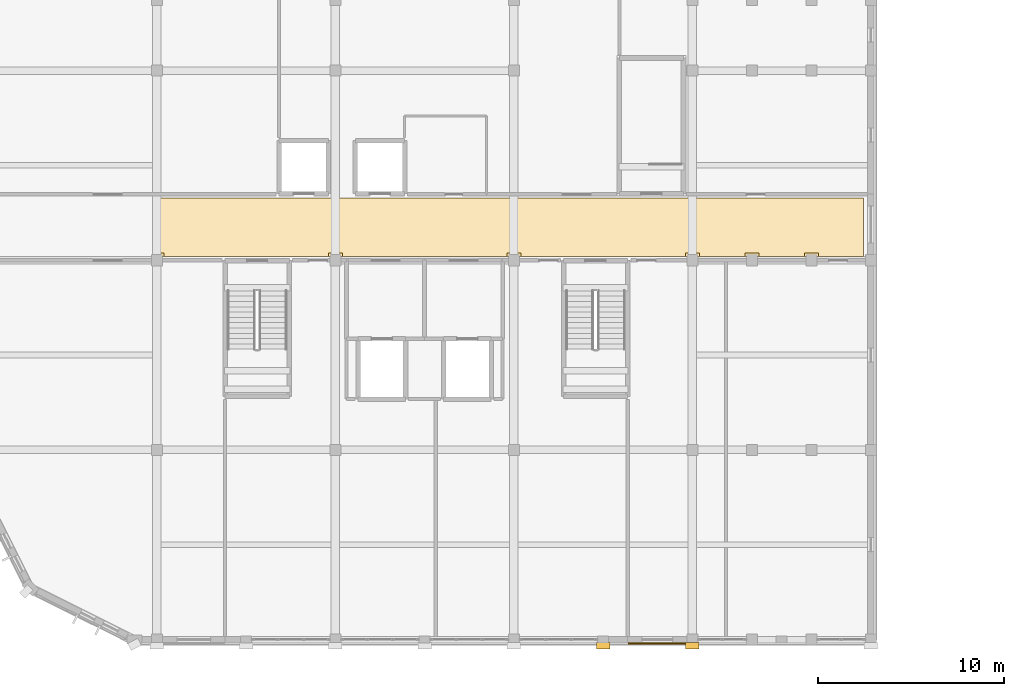
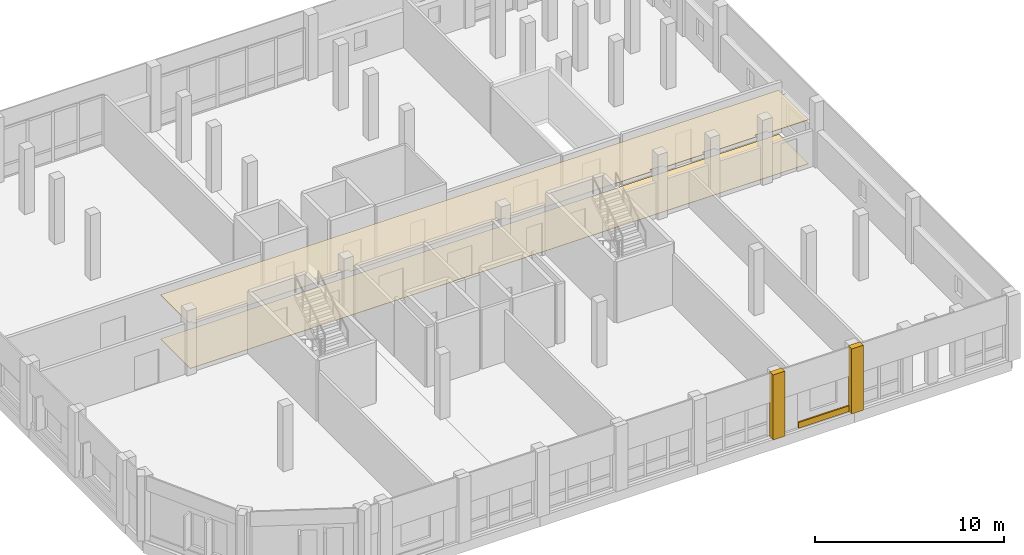
# One storey, part 89 of 93: 5 coverings.
"""IFC4 building model written with IfcOpenShell, lengths in metres."""

import ifcopenshell
import ifcopenshell.guid

model = None  # the IFC model being written
_history = None  # IfcOwnerHistory: only IFC2X3 demands one
_inside = {}  # id of a spatial element -> (the spatial element, [elements in it])
_under = {}  # id of a project, library or spatial element -> (it, [spatial elements below it])
_declared = {}  # id of a project -> (the project, [libraries it declares])
_typed = {}  # id of a type object -> (the type object, [elements of that type])
_made_of = {}  # id of a material, layer set ... -> (it, [elements and type objects made of it])


def new_model(schema):
    """Start an empty IFC model of exactly this schema.

    Asked for "IFC4X3", IfcOpenShell would pick the latest addendum, in which some entities
    have other attributes; the version numbers below select the first issue.
    IFC2X3 requires an IfcOwnerHistory on every rooted entity: one is made here for all.
    """
    global model, _history
    if schema == "IFC4X3":
        model = ifcopenshell.file(schema_version=(4, 3, 0, 0))
    else:
        model = ifcopenshell.file(schema=schema)
    _inside.clear()
    _under.clear()
    _declared.clear()
    _typed.clear()
    _made_of.clear()
    _history = None
    if model.schema == "IFC2X3":
        org = make("IfcOrganization", Name="unknown")
        user = make(
            "IfcPersonAndOrganization",
            ThePerson=make("IfcPerson", FamilyName="unknown"),
            TheOrganization=org,
        )
        app = make(
            "IfcApplication",
            ApplicationDeveloper=org,
            Version="unknown",
            ApplicationFullName="unknown",
            ApplicationIdentifier="unknown",
        )
        _history = make(
            "IfcOwnerHistory",
            OwningUser=user,
            OwningApplication=app,
            ChangeAction="ADDED",
            CreationDate=0,
        )
    return model


def make(cls, **values):
    """One entity of the class cls with the attributes given. An attribute that is None is left unset."""
    return model.create_entity(
        cls, **{name: value for name, value in values.items() if value is not None}
    )


def rooted(cls, **values):
    """An entity with a GlobalId (a new one), such as an element, a storey or a relation."""
    return make(cls, GlobalId=ifcopenshell.guid.new(), OwnerHistory=_history, **values)


def si_unit(unit_type, name, prefix=None):
    """IfcSIUnit, for example si_unit("LENGTHUNIT", "METRE", prefix="MILLI")."""
    return make("IfcSIUnit", UnitType=unit_type, Prefix=prefix, Name=name)


def assignment(units):
    """IfcUnitAssignment: the units of a project."""
    return None if units is None else make("IfcUnitAssignment", Units=units)


def point(xyz):
    """IfcCartesianPoint."""
    return None if xyz is None else make("IfcCartesianPoint", Coordinates=xyz)


def direction(xyz):
    """IfcDirection."""
    return None if xyz is None else make("IfcDirection", DirectionRatios=xyz)


def frame(location, z_axis=None, x_axis=None):
    """IfcAxis2Placement3D, a coordinate frame: its origin and axes. An axis left out is left unset."""
    return make(
        "IfcAxis2Placement3D",
        Location=point(location),
        Axis=direction(z_axis),
        RefDirection=direction(x_axis),
    )


def frame_2d(location, x_axis=None):
    """IfcAxis2Placement2D, a coordinate frame in the plane: its origin and x axis."""
    return make(
        "IfcAxis2Placement2D", Location=point(location), RefDirection=direction(x_axis)
    )


def origin():
    """The frame at (0, 0, 0) with its axes left unset."""
    return frame((0.0, 0.0, 0.0))


def origin_2d():
    """The frame at (0, 0) in the plane with its x axis left unset."""
    return frame_2d((0.0, 0.0))


def place(relative_to, where):
    """IfcLocalPlacement: puts the frame where relative to a parent placement (None: the world)."""
    return make(
        "IfcLocalPlacement", PlacementRelTo=relative_to, RelativePlacement=where
    )


def context(
    kind, dimensions, precision=None, world=None, true_north=None, identifier=None
):
    """IfcGeometricRepresentationContext, for example the 3D "Model" context."""
    return make(
        "IfcGeometricRepresentationContext",
        ContextIdentifier=identifier,
        ContextType=kind,
        CoordinateSpaceDimension=dimensions,
        Precision=precision,
        WorldCoordinateSystem=world,
        TrueNorth=true_north,
    )


def subcontext(parent, identifier, kind, view, scale=None):
    """IfcGeometricRepresentationSubContext, for example "Body" below "Model"."""
    return make(
        "IfcGeometricRepresentationSubContext",
        ContextIdentifier=identifier,
        ContextType=kind,
        ParentContext=parent,
        TargetScale=scale,
        TargetView=view,
    )


def project(units=None, contexts=None):
    """IfcProject with its units and contexts."""
    return rooted(
        "IfcProject",
        Name="project",
        RepresentationContexts=contexts,
        UnitsInContext=assignment(units),
    )


def spatial(cls, under=None, at=None, **own):
    """A site, building, storey or space (cls), placed at a placement, below another one or the project."""
    s = rooted(cls, ObjectPlacement=at, **own)
    if under is not None:
        _under.setdefault(under.id(), (under, []))[1].append(s)
    return s


def polyline(points):
    """IfcPolyline through the points."""
    return make("IfcPolyline", Points=[point(p) for p in points])


def profile(cls, at=None, kind="AREA", **sizes):
    """A parametric profile (cls). Its sizes go by their IFC names, for example OverallWidth=200.0."""
    return make(cls, ProfileType=kind, Position=at, **sizes)


def rectangle(**sizes):
    """IfcRectangleProfileDef."""
    return profile("IfcRectangleProfileDef", **sizes)


def outline(outer, holes=None, kind="AREA"):
    """IfcArbitraryClosedProfileDef: a profile drawn as a closed curve; with holes, ...WithVoids."""
    if holes is None:
        return make("IfcArbitraryClosedProfileDef", ProfileType=kind, OuterCurve=outer)
    return make(
        "IfcArbitraryProfileDefWithVoids",
        ProfileType=kind,
        OuterCurve=outer,
        InnerCurves=holes,
    )


def extrude(swept, where, along, depth):
    """IfcExtrudedAreaSolid: the profile swept, set in the frame where, extruded along a direction by depth."""
    return make(
        "IfcExtrudedAreaSolid",
        SweptArea=swept,
        Position=where,
        ExtrudedDirection=direction(along),
        Depth=depth,
    )


def shape(context_of_items, identifier, shape_type, items):
    """IfcShapeRepresentation: the items that make up one representation, for example the "Body"."""
    return make(
        "IfcShapeRepresentation",
        ContextOfItems=context_of_items,
        RepresentationIdentifier=identifier,
        RepresentationType=shape_type,
        Items=items,
    )


def material(Name=None, Category=None):
    """IfcMaterial."""
    return make("IfcMaterial", Name=Name, Category=Category)


def layer(
    of_material, thickness, ventilated=None, Name=None, Category=None, Priority=None
):
    """IfcMaterialLayer: one layer of a wall or slab, of a material (None: an air gap)."""
    return make(
        "IfcMaterialLayer",
        Material=of_material,
        LayerThickness=thickness,
        IsVentilated=ventilated,
        Name=Name,
        Category=Category,
        Priority=Priority,
    )


def layer_set(layers, Name=None):
    """IfcMaterialLayerSet."""
    return make("IfcMaterialLayerSet", MaterialLayers=layers, LayerSetName=Name)


def made_of(thing, what):
    """Note that an element or type object is made of a material, layer set ...; save() writes the relation."""
    if what is not None:
        _made_of.setdefault(what.id(), (what, []))[1].append(thing)
    return thing


def type_object(cls, material=None, **own):
    """A type object (cls), such as IfcWallType, which elements share."""
    return made_of(rooted(cls, **own), material)


def element(
    cls,
    number,
    at=None,
    inside=None,
    cuts=None,
    type_object=None,
    material=None,
    context=None,
    identifier="Body",
    shape_type=None,
    held_by="IfcProductDefinitionShape",
    body=None,
    shapes=None,
    **own,
):
    """One element of the class cls, such as IfcWall. Its Tag is "e" and its number.

    at: its placement. inside: the storey or other place that contains it. cuts: it is an
    opening in that element (IfcRelVoidsElement). A single representation is given by context,
    identifier, shape_type and body (its items); several are given by shapes. held_by: the class
    of the entity that holds the representations. save() writes the other relations.
    """
    e = rooted(cls, Tag="e%d" % number, ObjectPlacement=at, **own)
    if body is not None:
        shapes = [shape(context, identifier, shape_type, body)]
    if shapes is not None:
        e.Representation = make(held_by, Representations=shapes)
    if inside is not None:
        _inside.setdefault(inside.id(), (inside, []))[1].append(e)
    if cuts is not None:
        rooted(
            "IfcRelVoidsElement", RelatingBuildingElement=cuts, RelatedOpeningElement=e
        )
    if type_object is not None:
        _typed.setdefault(type_object.id(), (type_object, []))[1].append(e)
    return made_of(e, material)


def aggregate(whole, parts):
    """IfcRelAggregates: a whole, such as a stair, and the parts it consists of."""
    return rooted("IfcRelAggregates", RelatingObject=whole, RelatedObjects=parts)


def save(model, path):
    """Write the relations noted so far, then the file.

    IfcRelAggregates (storeys below a building ...), IfcRelContainedInSpatialStructure (elements
    in a storey), IfcRelDefinesByType, IfcRelAssociatesMaterial and IfcRelDeclares: one each for
    every whole, place, type object, material and project.
    """
    for whole, parts in _under.values():
        aggregate(whole, parts)
    for where, things in _inside.values():
        rooted(
            "IfcRelContainedInSpatialStructure",
            RelatedElements=things,
            RelatingStructure=where,
        )
    for kind, things in _typed.values():
        rooted("IfcRelDefinesByType", RelatedObjects=things, RelatingType=kind)
    for what, things in _made_of.values():
        rooted("IfcRelAssociatesMaterial", RelatedObjects=things, RelatingMaterial=what)
    for by, libraries in _declared.values():
        rooted("IfcRelDeclares", RelatingContext=by, RelatedDefinitions=libraries)
    model.write(path)


model = new_model("IFC4")

# Units and contexts
model_context = context("Model", 3, precision=1e-05, world=origin(), true_north=direction((0.0, 1.0)))
body_context = subcontext(model_context, "Body", "Model", "MODEL_VIEW")
ifc_project = project(units=[si_unit("LENGTHUNIT", "METRE"), si_unit("AREAUNIT", "SQUARE_METRE"), si_unit("VOLUMEUNIT", "CUBIC_METRE"), si_unit("PLANEANGLEUNIT", "RADIAN"), si_unit("MASSUNIT", "GRAM", prefix="KILO")], contexts=[model_context])

# Site, building, storey
site_placement = place(None, origin())
site = spatial("IfcSite", under=ifc_project, at=site_placement, CompositionType="ELEMENT")
building_placement = place(site_placement, origin())
building = spatial("IfcBuilding", under=site, at=building_placement, Name="Vondelvale Polytechnic", CompositionType="ELEMENT")
storey_placement = place(building_placement, frame((0.0, 0.0, 18.0)))
storey = spatial("IfcBuildingStorey", under=building, at=storey_placement, Name="L04", CompositionType="ELEMENT", Elevation=18.0)

# Coverings
ifc_material_1 = material(Name="Amsterdam School iron-spot clinker clay brickwork", Category="masonry")
ifc_layer_1 = layer(ifc_material_1, 0.090087890625)
ifc_layer_set_1 = layer_set([ifc_layer_1], Name="COV-BRICK-RELIEF")
covering_type_1 = type_object("IfcCoveringType", Name="COV-BRICK-RELIEF", PredefinedType="CLADDING", material=ifc_layer_set_1)
covering_1_placement = place(storey_placement, frame((36.511962890625, -0.216064453125, 0.0), z_axis=(0.0, 0.0, 1.0), x_axis=(-1.0, 0.0, 0.0)))
element("IfcCovering", 1, at=covering_1_placement, inside=storey, type_object=covering_type_1, Name="L04 exterior corbelled masonry relief band", PredefinedType="CLADDING", context=body_context, shape_type="SweptSolid", body=[
    extrude(rectangle(XDim=3.114013671875, YDim=0.090087890625, at=origin_2d()), origin(), (0.0, 0.0, 1.0), 0.3798828125),
])
for number, where, z_axis, x_axis, name in (
    (2, (33.60009765625, -0.340087890625, 0.0), (0.0, 0.0, 1.0), (1.0, 0.0, 0.0), "L04 Classical street pilaster"),
    (3, (38.39990234375, -0.340087890625, 0.0), (0.0, 0.0, 1.0), (1.0, 0.0, 0.0), "L04 Classical street pilaster"),
):
    element("IfcCovering", number, at=place(storey_placement, frame(where, z_axis=z_axis, x_axis=x_axis)), inside=storey, type_object=covering_type_1, Name=name, PredefinedType="CLADDING", context=body_context, shape_type="SweptSolid", body=[
        extrude(rectangle(XDim=0.719970703125, YDim=0.360107421875, at=origin_2d()), origin(), (0.0, 0.0, 1.0), 4.199951171875),
    ])
ifc_material_2 = material(Name="Perforated acoustic mineral-fibre and timber-batten ceiling", Category="wood")
ifc_layer_2 = layer(ifc_material_2, 0.030029296875)
ifc_layer_set_2 = layer_set([ifc_layer_2], Name="COV-CEIL-ACOUSTIC")
covering_type_2 = type_object("IfcCoveringType", Name="COV-CEIL-ACOUSTIC", PredefinedType="CEILING", material=ifc_layer_set_2)
covering_2_placement = place(storey_placement, frame((0.0, 0.0, 2.85009765625)))
element("IfcCovering", 4, at=covering_2_placement, inside=storey, type_object=covering_type_2, Name="L04 corridor acoustic baffle ceiling", PredefinedType="CEILING", context=body_context, shape_type="SweptSolid", body=[
    extrude(outline(polyline([(9.97998046875, 20.60009765625), (9.97998046875, 20.780029296875), (9.800048828125, 20.780029296875), (9.800048828125, 23.75), (47.60009765625, 23.75), (47.60009765625, 20.60009765625), (45.179931640625, 20.60009765625), (45.179931640625, 20.780029296875), (44.419921875, 20.780029296875), (44.419921875, 20.60009765625), (41.97998046875, 20.60009765625), (41.97998046875, 20.780029296875), (41.219970703125, 20.780029296875), (41.219970703125, 20.60009765625), (38.780029296875, 20.60009765625), (38.780029296875, 20.780029296875), (38.02001953125, 20.780029296875), (38.02001953125, 20.60009765625), (29.179931640625, 20.60009765625), (29.179931640625, 20.780029296875), (28.419921875, 20.780029296875), (28.419921875, 20.60009765625), (19.580078125, 20.60009765625), (19.580078125, 20.780029296875), (18.820068359375, 20.780029296875), (18.820068359375, 20.60009765625), (9.97998046875, 20.60009765625)])), origin(), (0.0, 0.0, 1.0), 0.02978515625),
])
ifc_material_3 = material(Name="Engineered Tasmanian oak studio and bridge joinery")
ifc_layer_3 = layer(ifc_material_3, 0.02197265625)
ifc_layer_set_3 = layer_set([ifc_layer_3], Name="COV-FLOOR-OAK")
covering_type_3 = type_object("IfcCoveringType", Name="COV-FLOOR-OAK", PredefinedType="FLOORING", material=ifc_layer_set_3)
covering_3_placement = place(storey_placement, origin())
element("IfcCovering", 5, at=covering_3_placement, inside=storey, type_object=covering_type_3, Name="L04 architectural floor finish", PredefinedType="FLOORING", context=body_context, shape_type="SweptSolid", body=[
    extrude(outline(polyline([(9.800048828125, 20.60009765625), (47.60009765625, 20.60009765625), (47.60009765625, 23.75), (9.800048828125, 23.75), (9.800048828125, 20.60009765625)])), origin(), (0.0, 0.0, 1.0), 0.02490234375),
])

save(model, "model.ifc")
